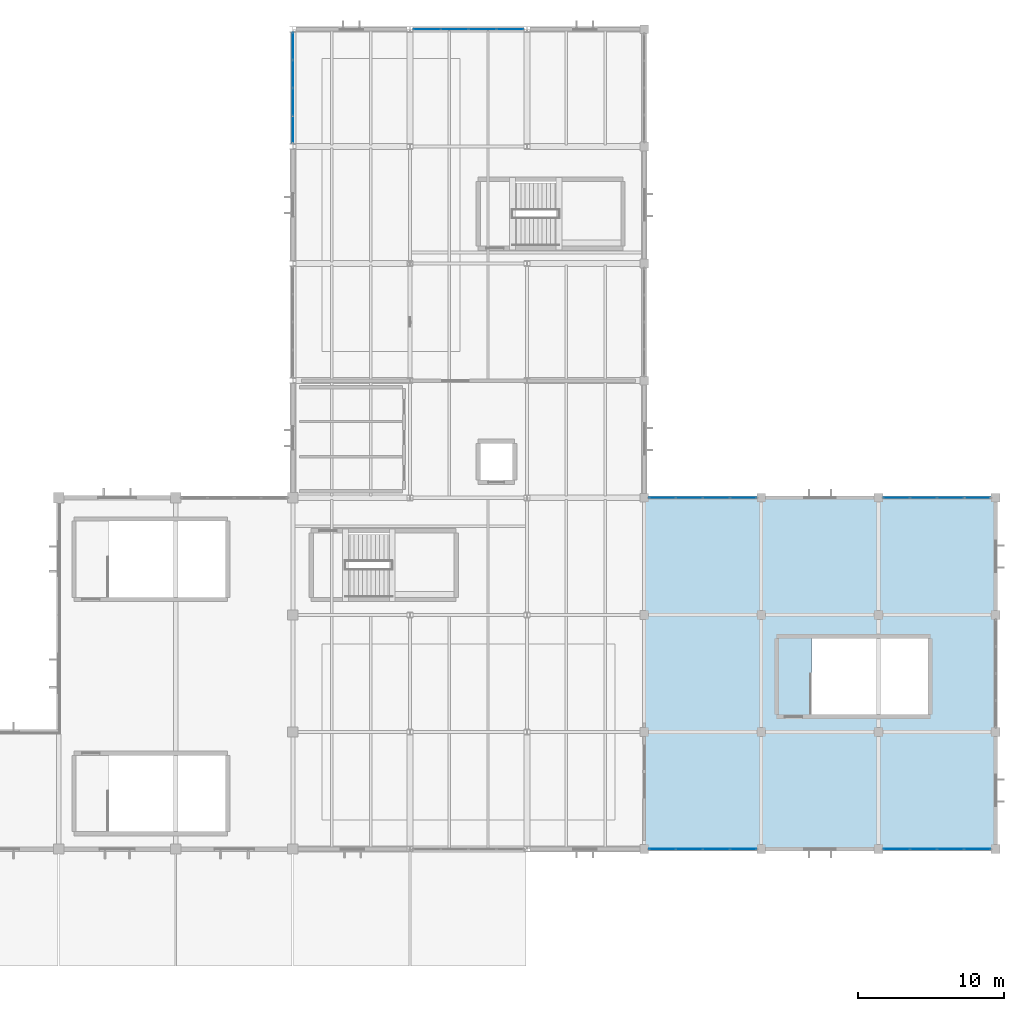
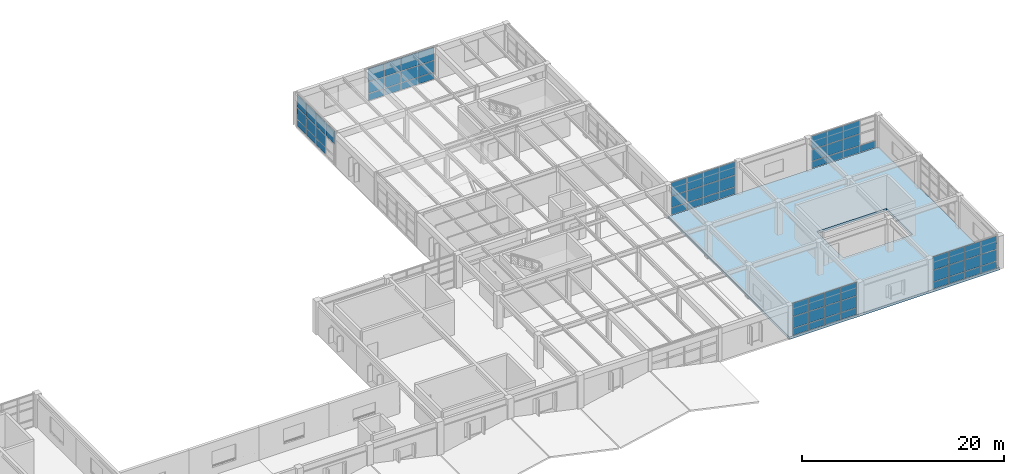
# One storey, part 33 of 48: 68 plates, 1 slab, 6 elements without a shape of their own.
"""IFC4 building model written with IfcOpenShell, lengths in metres."""

from ifc_helpers import new_model, si_unit, direction, frame, origin, origin_2d, place, context, subcontext, project, spatial, polyline, rectangle, outline, extrude, material, layer, layer_set, type_object, element, aggregate, save


model = new_model("IFC4")

# Units and contexts
model_context = context("Model", 3, precision=1e-05, world=origin(), true_north=direction((0.0, 1.0)))
body_context = subcontext(model_context, "Body", "Model", "MODEL_VIEW")
ifc_project = project(units=[si_unit("LENGTHUNIT", "METRE"), si_unit("AREAUNIT", "SQUARE_METRE"), si_unit("VOLUMEUNIT", "CUBIC_METRE"), si_unit("PLANEANGLEUNIT", "RADIAN"), si_unit("MASSUNIT", "GRAM", prefix="KILO")], contexts=[model_context])

# Site, building, storey
site_placement = place(None, origin())
site = spatial("IfcSite", under=ifc_project, at=site_placement, CompositionType="ELEMENT")
building_placement = place(site_placement, origin())
building = spatial("IfcBuilding", under=site, at=building_placement, Name="Varnela Railside Interchange", CompositionType="ELEMENT")
storey_placement = place(building_placement, frame((0.0, 0.0, 11.199951171875)))
storey = spatial("IfcBuildingStorey", under=building, at=storey_placement, Name="L02", CompositionType="ELEMENT", Elevation=11.199951171875)

# Slab
ifc_material_1 = material(Name="Concrete C40", Category="concrete")
ifc_layer_1 = layer(ifc_material_1, 0.300048828125)
ifc_layer_set_1 = layer_set([ifc_layer_1], Name="Concrete C40")
slab_type = type_object("IfcSlabType", Name="Auditorium & Concourse Slab SL-L02", PredefinedType="FLOOR", material=ifc_layer_set_1)
slab_placement = place(storey_placement, frame((0.0, 0.0, -0.300048828125)))
element("IfcSlab", 1, at=slab_placement, inside=storey, type_object=slab_type, Name="Auditorium & Concourse Slab SL-L02 (L02) (SL-0131)", PredefinedType="FLOOR", context=body_context, shape_type="SweptSolid", body=[
    extrude(outline(polyline([(140.0, 38.0), (164.0, 38.0), (164.0, 62.0), (140.0, 62.0), (140.0, 38.0)]), holes=[polyline([(151.429931640625, 47.199951171875), (159.39990234375, 47.199951171875), (159.39990234375, 52.39990234375), (151.429931640625, 52.39990234375), (151.429931640625, 47.199951171875)])]), origin(), (0.0, 0.0, 1.0), 0.300048828125),
])

# Curtain wall, plates
ifc_material_2 = material(Name="Aluminium 6063-T6", Category="aluminium")
ifc_layer_2 = layer(ifc_material_2, 0.035888671875)
ifc_layer_set_2 = layer_set([ifc_layer_2], Name="Aluminium 6063-T6")
curtain_wall_type = type_object("IfcCurtainWallType", Name="Study Pavilion Gallery Curtain Wall CW-02", PredefinedType="USERDEFINED", material=ifc_layer_set_2)
curtain_wall_1_placement = place(storey_placement, origin())
curtain_wall_1 = element("IfcCurtainWall", 2, at=curtain_wall_1_placement, inside=storey, type_object=curtain_wall_type, Name="Curtain Wall CW-02 (L02) (CW-056)", ObjectType="CURTAIN WALL", PredefinedType="USERDEFINED")
ifc_material_3 = material(Name="Glass laminated double", Category="glass")
ifc_layer_3 = layer(ifc_material_3, 0.02001953125)
ifc_layer_set_3 = layer_set([ifc_layer_3], Name="Glass laminated double")
plate_type = type_object("IfcPlateType", Name="Low-E Vision Glazing Panel GL-01", PredefinedType="CURTAIN_PANEL", material=ifc_layer_set_3)
plate_1_placement = place(storey_placement, frame((116.0, 87.155517578125, 2.35009765625), z_axis=(0.0, 0.0, 1.0), x_axis=(0.0, 1.0, 0.0)))
plate_1 = element("IfcPlate", 3, at=plate_1_placement, type_object=plate_type, Name="CW-02 panel 1.3", PredefinedType="CURTAIN_PANEL", context=body_context, shape_type="SweptSolid", body=[
    extrude(rectangle(XDim=1.816162109375, YDim=0.02001953125, at=origin_2d()), origin(), (0.0, 0.0, 1.0), 1.590087890625),
])
plate_2_placement = place(storey_placement, frame((116.0, 89.046875, 0.06005859375), z_axis=(0.0, 0.0, 1.0), x_axis=(0.0, 1.0, 0.0)))
plate_2 = element("IfcPlate", 4, at=plate_2_placement, type_object=plate_type, Name="CW-02 panel 2.1", PredefinedType="CURTAIN_PANEL", context=body_context, shape_type="SweptSolid", body=[
    extrude(rectangle(XDim=1.84619140625, YDim=0.02001953125, at=origin_2d()), origin(), (0.0, 0.0, 1.0), 0.81005859375),
])
plate_3_placement = place(storey_placement, frame((116.0, 89.046875, 0.93017578125), z_axis=(0.0, 0.0, 1.0), x_axis=(0.0, 1.0, 0.0)))
plate_3 = element("IfcPlate", 5, at=plate_3_placement, type_object=plate_type, Name="CW-02 panel 2.2", PredefinedType="CURTAIN_PANEL", context=body_context, shape_type="SweptSolid", body=[
    extrude(rectangle(XDim=1.84619140625, YDim=0.02001953125, at=origin_2d()), origin(), (0.0, 0.0, 1.0), 1.360107421875),
])
plate_4_placement = place(storey_placement, frame((116.0, 89.046875, 2.35009765625), z_axis=(0.0, 0.0, 1.0), x_axis=(0.0, 1.0, 0.0)))
plate_4 = element("IfcPlate", 6, at=plate_4_placement, type_object=plate_type, Name="CW-02 panel 2.3", PredefinedType="CURTAIN_PANEL", context=body_context, shape_type="SweptSolid", body=[
    extrude(rectangle(XDim=1.84619140625, YDim=0.02001953125, at=origin_2d()), origin(), (0.0, 0.0, 1.0), 1.590087890625),
])
plate_5_placement = place(storey_placement, frame((116.0, 90.953125, 0.06005859375), z_axis=(0.0, 0.0, 1.0), x_axis=(0.0, 1.0, 0.0)))
plate_5 = element("IfcPlate", 7, at=plate_5_placement, type_object=plate_type, Name="CW-02 panel 3.1", PredefinedType="CURTAIN_PANEL", context=body_context, shape_type="SweptSolid", body=[
    extrude(rectangle(XDim=1.84619140625, YDim=0.02001953125, at=origin_2d()), origin(), (0.0, 0.0, 1.0), 0.81005859375),
])
plate_6_placement = place(storey_placement, frame((116.0, 90.953125, 0.93017578125), z_axis=(0.0, 0.0, 1.0), x_axis=(0.0, 1.0, 0.0)))
plate_6 = element("IfcPlate", 8, at=plate_6_placement, type_object=plate_type, Name="CW-02 panel 3.2", PredefinedType="CURTAIN_PANEL", context=body_context, shape_type="SweptSolid", body=[
    extrude(rectangle(XDim=1.84619140625, YDim=0.02001953125, at=origin_2d()), origin(), (0.0, 0.0, 1.0), 1.360107421875),
])
plate_7_placement = place(storey_placement, frame((116.0, 90.953125, 2.35009765625), z_axis=(0.0, 0.0, 1.0), x_axis=(0.0, 1.0, 0.0)))
plate_7 = element("IfcPlate", 9, at=plate_7_placement, type_object=plate_type, Name="CW-02 panel 3.3", PredefinedType="CURTAIN_PANEL", context=body_context, shape_type="SweptSolid", body=[
    extrude(rectangle(XDim=1.84619140625, YDim=0.02001953125, at=origin_2d()), origin(), (0.0, 0.0, 1.0), 1.590087890625),
])
plate_8_placement = place(storey_placement, frame((116.0, 92.844482421875, 0.06005859375), z_axis=(0.0, 0.0, 1.0), x_axis=(0.0, 1.0, 0.0)))
plate_8 = element("IfcPlate", 10, at=plate_8_placement, type_object=plate_type, Name="CW-02 panel 4.1", PredefinedType="CURTAIN_PANEL", context=body_context, shape_type="SweptSolid", body=[
    extrude(rectangle(XDim=1.816162109375, YDim=0.02001953125, at=origin_2d()), origin(), (0.0, 0.0, 1.0), 0.81005859375),
])
plate_9_placement = place(storey_placement, frame((116.0, 92.844482421875, 0.93017578125), z_axis=(0.0, 0.0, 1.0), x_axis=(0.0, 1.0, 0.0)))
plate_9 = element("IfcPlate", 11, at=plate_9_placement, type_object=plate_type, Name="CW-02 panel 4.2", PredefinedType="CURTAIN_PANEL", context=body_context, shape_type="SweptSolid", body=[
    extrude(rectangle(XDim=1.816162109375, YDim=0.02001953125, at=origin_2d()), origin(), (0.0, 0.0, 1.0), 1.360107421875),
])
plate_10_placement = place(storey_placement, frame((116.0, 92.844482421875, 2.35009765625), z_axis=(0.0, 0.0, 1.0), x_axis=(0.0, 1.0, 0.0)))
plate_10 = element("IfcPlate", 12, at=plate_10_placement, type_object=plate_type, Name="CW-02 panel 4.3", PredefinedType="CURTAIN_PANEL", context=body_context, shape_type="SweptSolid", body=[
    extrude(rectangle(XDim=1.816162109375, YDim=0.02001953125, at=origin_2d()), origin(), (0.0, 0.0, 1.0), 1.590087890625),
])
aggregate(curtain_wall_1, [plate_1, plate_2, plate_3, plate_4, plate_5, plate_6, plate_7, plate_8, plate_9, plate_10])

curtain_wall_2_placement = place(storey_placement, origin())
curtain_wall_2 = element("IfcCurtainWall", 13, at=curtain_wall_2_placement, inside=storey, type_object=curtain_wall_type, Name="Curtain Wall CW-02 (L02) (CW-057)", ObjectType="CURTAIN WALL", PredefinedType="USERDEFINED")
plate_11_placement = place(storey_placement, frame((125.162841796875, 94.0, 0.06005859375), z_axis=(0.0, 0.0, 1.0), x_axis=(1.0, 0.0, 0.0)))
plate_11 = element("IfcPlate", 14, at=plate_11_placement, type_object=plate_type, Name="CW-02 panel 1.1", PredefinedType="CURTAIN_PANEL", context=body_context, shape_type="SweptSolid", body=[
    extrude(rectangle(XDim=1.8115234375, YDim=0.02001953125, at=origin_2d()), origin(), (0.0, 0.0, 1.0), 0.81005859375),
])
plate_12_placement = place(storey_placement, frame((125.162841796875, 94.0, 0.93017578125), z_axis=(0.0, 0.0, 1.0), x_axis=(1.0, 0.0, 0.0)))
plate_12 = element("IfcPlate", 15, at=plate_12_placement, type_object=plate_type, Name="CW-02 panel 1.2", PredefinedType="CURTAIN_PANEL", context=body_context, shape_type="SweptSolid", body=[
    extrude(rectangle(XDim=1.8115234375, YDim=0.02001953125, at=origin_2d()), origin(), (0.0, 0.0, 1.0), 1.360107421875),
])
plate_13_placement = place(storey_placement, frame((125.162841796875, 94.0, 2.35009765625), z_axis=(0.0, 0.0, 1.0), x_axis=(1.0, 0.0, 0.0)))
plate_13 = element("IfcPlate", 16, at=plate_13_placement, type_object=plate_type, Name="CW-02 panel 1.3", PredefinedType="CURTAIN_PANEL", context=body_context, shape_type="SweptSolid", body=[
    extrude(rectangle(XDim=1.8115234375, YDim=0.02001953125, at=origin_2d()), origin(), (0.0, 0.0, 1.0), 1.590087890625),
])
plate_14_placement = place(storey_placement, frame((127.04931640625, 94.0, 0.06005859375), z_axis=(0.0, 0.0, 1.0), x_axis=(1.0, 0.0, 0.0)))
plate_14 = element("IfcPlate", 17, at=plate_14_placement, type_object=plate_type, Name="CW-02 panel 2.1", PredefinedType="CURTAIN_PANEL", context=body_context, shape_type="SweptSolid", body=[
    extrude(rectangle(XDim=1.841552734375, YDim=0.02001953125, at=origin_2d()), origin(), (0.0, 0.0, 1.0), 0.81005859375),
])
plate_15_placement = place(storey_placement, frame((127.04931640625, 94.0, 0.93017578125), z_axis=(0.0, 0.0, 1.0), x_axis=(1.0, 0.0, 0.0)))
plate_15 = element("IfcPlate", 18, at=plate_15_placement, type_object=plate_type, Name="CW-02 panel 2.2", PredefinedType="CURTAIN_PANEL", context=body_context, shape_type="SweptSolid", body=[
    extrude(rectangle(XDim=1.841552734375, YDim=0.02001953125, at=origin_2d()), origin(), (0.0, 0.0, 1.0), 1.360107421875),
])
plate_16_placement = place(storey_placement, frame((127.04931640625, 94.0, 2.35009765625), z_axis=(0.0, 0.0, 1.0), x_axis=(1.0, 0.0, 0.0)))
plate_16 = element("IfcPlate", 19, at=plate_16_placement, type_object=plate_type, Name="CW-02 panel 2.3", PredefinedType="CURTAIN_PANEL", context=body_context, shape_type="SweptSolid", body=[
    extrude(rectangle(XDim=1.841552734375, YDim=0.02001953125, at=origin_2d()), origin(), (0.0, 0.0, 1.0), 1.590087890625),
])
plate_17_placement = place(storey_placement, frame((128.95068359375, 94.0, 0.06005859375), z_axis=(0.0, 0.0, 1.0), x_axis=(1.0, 0.0, 0.0)))
plate_17 = element("IfcPlate", 20, at=plate_17_placement, type_object=plate_type, Name="CW-02 panel 3.1", PredefinedType="CURTAIN_PANEL", context=body_context, shape_type="SweptSolid", body=[
    extrude(rectangle(XDim=1.841552734375, YDim=0.02001953125, at=origin_2d()), origin(), (0.0, 0.0, 1.0), 0.81005859375),
])
plate_18_placement = place(storey_placement, frame((128.95068359375, 94.0, 0.93017578125), z_axis=(0.0, 0.0, 1.0), x_axis=(1.0, 0.0, 0.0)))
plate_18 = element("IfcPlate", 21, at=plate_18_placement, type_object=plate_type, Name="CW-02 panel 3.2", PredefinedType="CURTAIN_PANEL", context=body_context, shape_type="SweptSolid", body=[
    extrude(rectangle(XDim=1.841552734375, YDim=0.02001953125, at=origin_2d()), origin(), (0.0, 0.0, 1.0), 1.360107421875),
])
plate_19_placement = place(storey_placement, frame((128.95068359375, 94.0, 2.35009765625), z_axis=(0.0, 0.0, 1.0), x_axis=(1.0, 0.0, 0.0)))
plate_19 = element("IfcPlate", 22, at=plate_19_placement, type_object=plate_type, Name="CW-02 panel 3.3", PredefinedType="CURTAIN_PANEL", context=body_context, shape_type="SweptSolid", body=[
    extrude(rectangle(XDim=1.841552734375, YDim=0.02001953125, at=origin_2d()), origin(), (0.0, 0.0, 1.0), 1.590087890625),
])
plate_20_placement = place(storey_placement, frame((130.837158203125, 94.0, 0.06005859375), z_axis=(0.0, 0.0, 1.0), x_axis=(1.0, 0.0, 0.0)))
plate_20 = element("IfcPlate", 23, at=plate_20_placement, type_object=plate_type, Name="CW-02 panel 4.1", PredefinedType="CURTAIN_PANEL", context=body_context, shape_type="SweptSolid", body=[
    extrude(rectangle(XDim=1.8115234375, YDim=0.02001953125, at=origin_2d()), origin(), (0.0, 0.0, 1.0), 0.81005859375),
])
plate_21_placement = place(storey_placement, frame((130.837158203125, 94.0, 0.93017578125), z_axis=(0.0, 0.0, 1.0), x_axis=(1.0, 0.0, 0.0)))
plate_21 = element("IfcPlate", 24, at=plate_21_placement, type_object=plate_type, Name="CW-02 panel 4.2", PredefinedType="CURTAIN_PANEL", context=body_context, shape_type="SweptSolid", body=[
    extrude(rectangle(XDim=1.8115234375, YDim=0.02001953125, at=origin_2d()), origin(), (0.0, 0.0, 1.0), 1.360107421875),
])
plate_22_placement = place(storey_placement, frame((130.837158203125, 94.0, 2.35009765625), z_axis=(0.0, 0.0, 1.0), x_axis=(1.0, 0.0, 0.0)))
plate_22 = element("IfcPlate", 25, at=plate_22_placement, type_object=plate_type, Name="CW-02 panel 4.3", PredefinedType="CURTAIN_PANEL", context=body_context, shape_type="SweptSolid", body=[
    extrude(rectangle(XDim=1.8115234375, YDim=0.02001953125, at=origin_2d()), origin(), (0.0, 0.0, 1.0), 1.590087890625),
])
aggregate(curtain_wall_2, [plate_11, plate_12, plate_13, plate_14, plate_15, plate_16, plate_17, plate_18, plate_19, plate_20, plate_21, plate_22])

curtain_wall_3_placement = place(storey_placement, origin())
curtain_wall_3 = element("IfcCurtainWall", 26, at=curtain_wall_3_placement, inside=storey, type_object=curtain_wall_type, Name="Curtain Wall CW-02 (L02) (CW-060)", ObjectType="CURTAIN WALL", PredefinedType="USERDEFINED")
plate_23_placement = place(storey_placement, frame((141.239990234375, 62.0, 0.06005859375), z_axis=(0.0, 0.0, 1.0), x_axis=(1.0, 0.0, 0.0)))
plate_23 = element("IfcPlate", 27, at=plate_23_placement, type_object=plate_type, Name="CW-02 panel 1.1", PredefinedType="CURTAIN_PANEL", context=body_context, shape_type="SweptSolid", body=[
    extrude(rectangle(XDim=1.760009765625, YDim=0.02001953125, at=origin_2d()), origin(), (0.0, 0.0, 1.0), 0.81005859375),
])
plate_24_placement = place(storey_placement, frame((141.239990234375, 62.0, 0.93017578125), z_axis=(0.0, 0.0, 1.0), x_axis=(1.0, 0.0, 0.0)))
plate_24 = element("IfcPlate", 28, at=plate_24_placement, type_object=plate_type, Name="CW-02 panel 1.2", PredefinedType="CURTAIN_PANEL", context=body_context, shape_type="SweptSolid", body=[
    extrude(rectangle(XDim=1.760009765625, YDim=0.02001953125, at=origin_2d()), origin(), (0.0, 0.0, 1.0), 1.360107421875),
])
plate_25_placement = place(storey_placement, frame((141.239990234375, 62.0, 2.35009765625), z_axis=(0.0, 0.0, 1.0), x_axis=(1.0, 0.0, 0.0)))
plate_25 = element("IfcPlate", 29, at=plate_25_placement, type_object=plate_type, Name="CW-02 panel 1.3", PredefinedType="CURTAIN_PANEL", context=body_context, shape_type="SweptSolid", body=[
    extrude(rectangle(XDim=1.760009765625, YDim=0.02001953125, at=origin_2d()), origin(), (0.0, 0.0, 1.0), 1.590087890625),
])
plate_26_placement = place(storey_placement, frame((143.074951171875, 62.0, 0.06005859375), z_axis=(0.0, 0.0, 1.0), x_axis=(1.0, 0.0, 0.0)))
plate_26 = element("IfcPlate", 30, at=plate_26_placement, type_object=plate_type, Name="CW-02 panel 2.1", PredefinedType="CURTAIN_PANEL", context=body_context, shape_type="SweptSolid", body=[
    extrude(rectangle(XDim=1.7900390625, YDim=0.02001953125, at=origin_2d()), origin(), (0.0, 0.0, 1.0), 0.81005859375),
])
plate_27_placement = place(storey_placement, frame((143.074951171875, 62.0, 0.93017578125), z_axis=(0.0, 0.0, 1.0), x_axis=(1.0, 0.0, 0.0)))
plate_27 = element("IfcPlate", 31, at=plate_27_placement, type_object=plate_type, Name="CW-02 panel 2.2", PredefinedType="CURTAIN_PANEL", context=body_context, shape_type="SweptSolid", body=[
    extrude(rectangle(XDim=1.7900390625, YDim=0.02001953125, at=origin_2d()), origin(), (0.0, 0.0, 1.0), 1.360107421875),
])
plate_28_placement = place(storey_placement, frame((143.074951171875, 62.0, 2.35009765625), z_axis=(0.0, 0.0, 1.0), x_axis=(1.0, 0.0, 0.0)))
plate_28 = element("IfcPlate", 32, at=plate_28_placement, type_object=plate_type, Name="CW-02 panel 2.3", PredefinedType="CURTAIN_PANEL", context=body_context, shape_type="SweptSolid", body=[
    extrude(rectangle(XDim=1.7900390625, YDim=0.02001953125, at=origin_2d()), origin(), (0.0, 0.0, 1.0), 1.590087890625),
])
plate_29_placement = place(storey_placement, frame((144.925048828125, 62.0, 0.06005859375), z_axis=(0.0, 0.0, 1.0), x_axis=(1.0, 0.0, 0.0)))
plate_29 = element("IfcPlate", 33, at=plate_29_placement, type_object=plate_type, Name="CW-02 panel 3.1", PredefinedType="CURTAIN_PANEL", context=body_context, shape_type="SweptSolid", body=[
    extrude(rectangle(XDim=1.7900390625, YDim=0.02001953125, at=origin_2d()), origin(), (0.0, 0.0, 1.0), 0.81005859375),
])
plate_30_placement = place(storey_placement, frame((144.925048828125, 62.0, 0.93017578125), z_axis=(0.0, 0.0, 1.0), x_axis=(1.0, 0.0, 0.0)))
plate_30 = element("IfcPlate", 34, at=plate_30_placement, type_object=plate_type, Name="CW-02 panel 3.2", PredefinedType="CURTAIN_PANEL", context=body_context, shape_type="SweptSolid", body=[
    extrude(rectangle(XDim=1.7900390625, YDim=0.02001953125, at=origin_2d()), origin(), (0.0, 0.0, 1.0), 1.360107421875),
])
plate_31_placement = place(storey_placement, frame((144.925048828125, 62.0, 2.35009765625), z_axis=(0.0, 0.0, 1.0), x_axis=(1.0, 0.0, 0.0)))
plate_31 = element("IfcPlate", 35, at=plate_31_placement, type_object=plate_type, Name="CW-02 panel 3.3", PredefinedType="CURTAIN_PANEL", context=body_context, shape_type="SweptSolid", body=[
    extrude(rectangle(XDim=1.7900390625, YDim=0.02001953125, at=origin_2d()), origin(), (0.0, 0.0, 1.0), 1.590087890625),
])
plate_32_placement = place(storey_placement, frame((146.760009765625, 62.0, 0.06005859375), z_axis=(0.0, 0.0, 1.0), x_axis=(1.0, 0.0, 0.0)))
plate_32 = element("IfcPlate", 36, at=plate_32_placement, type_object=plate_type, Name="CW-02 panel 4.1", PredefinedType="CURTAIN_PANEL", context=body_context, shape_type="SweptSolid", body=[
    extrude(rectangle(XDim=1.760009765625, YDim=0.02001953125, at=origin_2d()), origin(), (0.0, 0.0, 1.0), 0.81005859375),
])
plate_33_placement = place(storey_placement, frame((146.760009765625, 62.0, 0.93017578125), z_axis=(0.0, 0.0, 1.0), x_axis=(1.0, 0.0, 0.0)))
plate_33 = element("IfcPlate", 37, at=plate_33_placement, type_object=plate_type, Name="CW-02 panel 4.2", PredefinedType="CURTAIN_PANEL", context=body_context, shape_type="SweptSolid", body=[
    extrude(rectangle(XDim=1.760009765625, YDim=0.02001953125, at=origin_2d()), origin(), (0.0, 0.0, 1.0), 1.360107421875),
])
plate_34_placement = place(storey_placement, frame((146.760009765625, 62.0, 2.35009765625), z_axis=(0.0, 0.0, 1.0), x_axis=(1.0, 0.0, 0.0)))
plate_34 = element("IfcPlate", 38, at=plate_34_placement, type_object=plate_type, Name="CW-02 panel 4.3", PredefinedType="CURTAIN_PANEL", context=body_context, shape_type="SweptSolid", body=[
    extrude(rectangle(XDim=1.760009765625, YDim=0.02001953125, at=origin_2d()), origin(), (0.0, 0.0, 1.0), 1.590087890625),
])
aggregate(curtain_wall_3, [plate_23, plate_24, plate_25, plate_26, plate_27, plate_28, plate_29, plate_30, plate_31, plate_32, plate_33, plate_34])

curtain_wall_4_placement = place(storey_placement, origin())
curtain_wall_4 = element("IfcCurtainWall", 39, at=curtain_wall_4_placement, inside=storey, type_object=curtain_wall_type, Name="Curtain Wall CW-02 (L02) (CW-062)", ObjectType="CURTAIN WALL", PredefinedType="USERDEFINED")
plate_35_placement = place(storey_placement, frame((157.239990234375, 62.0, 0.06005859375), z_axis=(0.0, 0.0, 1.0), x_axis=(1.0, 0.0, 0.0)))
plate_35 = element("IfcPlate", 40, at=plate_35_placement, type_object=plate_type, Name="CW-02 panel 1.1", PredefinedType="CURTAIN_PANEL", context=body_context, shape_type="SweptSolid", body=[
    extrude(rectangle(XDim=1.760009765625, YDim=0.02001953125, at=origin_2d()), origin(), (0.0, 0.0, 1.0), 0.81005859375),
])
plate_36_placement = place(storey_placement, frame((157.239990234375, 62.0, 0.93017578125), z_axis=(0.0, 0.0, 1.0), x_axis=(1.0, 0.0, 0.0)))
plate_36 = element("IfcPlate", 41, at=plate_36_placement, type_object=plate_type, Name="CW-02 panel 1.2", PredefinedType="CURTAIN_PANEL", context=body_context, shape_type="SweptSolid", body=[
    extrude(rectangle(XDim=1.760009765625, YDim=0.02001953125, at=origin_2d()), origin(), (0.0, 0.0, 1.0), 1.360107421875),
])
plate_37_placement = place(storey_placement, frame((157.239990234375, 62.0, 2.35009765625), z_axis=(0.0, 0.0, 1.0), x_axis=(1.0, 0.0, 0.0)))
plate_37 = element("IfcPlate", 42, at=plate_37_placement, type_object=plate_type, Name="CW-02 panel 1.3", PredefinedType="CURTAIN_PANEL", context=body_context, shape_type="SweptSolid", body=[
    extrude(rectangle(XDim=1.760009765625, YDim=0.02001953125, at=origin_2d()), origin(), (0.0, 0.0, 1.0), 1.590087890625),
])
plate_38_placement = place(storey_placement, frame((159.074951171875, 62.0, 0.06005859375), z_axis=(0.0, 0.0, 1.0), x_axis=(1.0, 0.0, 0.0)))
plate_38 = element("IfcPlate", 43, at=plate_38_placement, type_object=plate_type, Name="CW-02 panel 2.1", PredefinedType="CURTAIN_PANEL", context=body_context, shape_type="SweptSolid", body=[
    extrude(rectangle(XDim=1.7900390625, YDim=0.02001953125, at=origin_2d()), origin(), (0.0, 0.0, 1.0), 0.81005859375),
])
plate_39_placement = place(storey_placement, frame((159.074951171875, 62.0, 0.93017578125), z_axis=(0.0, 0.0, 1.0), x_axis=(1.0, 0.0, 0.0)))
plate_39 = element("IfcPlate", 44, at=plate_39_placement, type_object=plate_type, Name="CW-02 panel 2.2", PredefinedType="CURTAIN_PANEL", context=body_context, shape_type="SweptSolid", body=[
    extrude(rectangle(XDim=1.7900390625, YDim=0.02001953125, at=origin_2d()), origin(), (0.0, 0.0, 1.0), 1.360107421875),
])
plate_40_placement = place(storey_placement, frame((159.074951171875, 62.0, 2.35009765625), z_axis=(0.0, 0.0, 1.0), x_axis=(1.0, 0.0, 0.0)))
plate_40 = element("IfcPlate", 45, at=plate_40_placement, type_object=plate_type, Name="CW-02 panel 2.3", PredefinedType="CURTAIN_PANEL", context=body_context, shape_type="SweptSolid", body=[
    extrude(rectangle(XDim=1.7900390625, YDim=0.02001953125, at=origin_2d()), origin(), (0.0, 0.0, 1.0), 1.590087890625),
])
plate_41_placement = place(storey_placement, frame((160.925048828125, 62.0, 0.06005859375), z_axis=(0.0, 0.0, 1.0), x_axis=(1.0, 0.0, 0.0)))
plate_41 = element("IfcPlate", 46, at=plate_41_placement, type_object=plate_type, Name="CW-02 panel 3.1", PredefinedType="CURTAIN_PANEL", context=body_context, shape_type="SweptSolid", body=[
    extrude(rectangle(XDim=1.7900390625, YDim=0.02001953125, at=origin_2d()), origin(), (0.0, 0.0, 1.0), 0.81005859375),
])
plate_42_placement = place(storey_placement, frame((160.925048828125, 62.0, 0.93017578125), z_axis=(0.0, 0.0, 1.0), x_axis=(1.0, 0.0, 0.0)))
plate_42 = element("IfcPlate", 47, at=plate_42_placement, type_object=plate_type, Name="CW-02 panel 3.2", PredefinedType="CURTAIN_PANEL", context=body_context, shape_type="SweptSolid", body=[
    extrude(rectangle(XDim=1.7900390625, YDim=0.02001953125, at=origin_2d()), origin(), (0.0, 0.0, 1.0), 1.360107421875),
])
plate_43_placement = place(storey_placement, frame((160.925048828125, 62.0, 2.35009765625), z_axis=(0.0, 0.0, 1.0), x_axis=(1.0, 0.0, 0.0)))
plate_43 = element("IfcPlate", 48, at=plate_43_placement, type_object=plate_type, Name="CW-02 panel 3.3", PredefinedType="CURTAIN_PANEL", context=body_context, shape_type="SweptSolid", body=[
    extrude(rectangle(XDim=1.7900390625, YDim=0.02001953125, at=origin_2d()), origin(), (0.0, 0.0, 1.0), 1.590087890625),
])
plate_44_placement = place(storey_placement, frame((162.760009765625, 62.0, 0.06005859375), z_axis=(0.0, 0.0, 1.0), x_axis=(1.0, 0.0, 0.0)))
plate_44 = element("IfcPlate", 49, at=plate_44_placement, type_object=plate_type, Name="CW-02 panel 4.1", PredefinedType="CURTAIN_PANEL", context=body_context, shape_type="SweptSolid", body=[
    extrude(rectangle(XDim=1.760009765625, YDim=0.02001953125, at=origin_2d()), origin(), (0.0, 0.0, 1.0), 0.81005859375),
])
aggregate(curtain_wall_4, [plate_35, plate_36, plate_37, plate_38, plate_39, plate_40, plate_41, plate_42, plate_43, plate_44])

curtain_wall_5_placement = place(storey_placement, origin())
curtain_wall_5 = element("IfcCurtainWall", 50, at=curtain_wall_5_placement, inside=storey, type_object=curtain_wall_type, Name="Curtain Wall CW-02 (L02) (CW-064)", ObjectType="CURTAIN WALL", PredefinedType="USERDEFINED")
plate_45_placement = place(storey_placement, frame((162.760009765625, 38.0, 0.06005859375), z_axis=(0.0, 0.0, 1.0), x_axis=(-1.0, 0.0, 0.0)))
plate_45 = element("IfcPlate", 51, at=plate_45_placement, type_object=plate_type, Name="CW-02 panel 1.1", PredefinedType="CURTAIN_PANEL", context=body_context, shape_type="SweptSolid", body=[
    extrude(rectangle(XDim=1.760009765625, YDim=0.02001953125, at=origin_2d()), origin(), (0.0, 0.0, 1.0), 0.81005859375),
])
plate_46_placement = place(storey_placement, frame((162.760009765625, 38.0, 0.93017578125), z_axis=(0.0, 0.0, 1.0), x_axis=(-1.0, 0.0, 0.0)))
plate_46 = element("IfcPlate", 52, at=plate_46_placement, type_object=plate_type, Name="CW-02 panel 1.2", PredefinedType="CURTAIN_PANEL", context=body_context, shape_type="SweptSolid", body=[
    extrude(rectangle(XDim=1.760009765625, YDim=0.02001953125, at=origin_2d()), origin(), (0.0, 0.0, 1.0), 1.360107421875),
])
plate_47_placement = place(storey_placement, frame((162.760009765625, 38.0, 2.35009765625), z_axis=(0.0, 0.0, 1.0), x_axis=(-1.0, 0.0, 0.0)))
plate_47 = element("IfcPlate", 53, at=plate_47_placement, type_object=plate_type, Name="CW-02 panel 1.3", PredefinedType="CURTAIN_PANEL", context=body_context, shape_type="SweptSolid", body=[
    extrude(rectangle(XDim=1.760009765625, YDim=0.02001953125, at=origin_2d()), origin(), (0.0, 0.0, 1.0), 1.590087890625),
])
plate_48_placement = place(storey_placement, frame((160.925048828125, 38.0, 0.06005859375), z_axis=(0.0, 0.0, 1.0), x_axis=(-1.0, 0.0, 0.0)))
plate_48 = element("IfcPlate", 54, at=plate_48_placement, type_object=plate_type, Name="CW-02 panel 2.1", PredefinedType="CURTAIN_PANEL", context=body_context, shape_type="SweptSolid", body=[
    extrude(rectangle(XDim=1.7900390625, YDim=0.02001953125, at=origin_2d()), origin(), (0.0, 0.0, 1.0), 0.81005859375),
])
plate_49_placement = place(storey_placement, frame((160.925048828125, 38.0, 0.93017578125), z_axis=(0.0, 0.0, 1.0), x_axis=(-1.0, 0.0, 0.0)))
plate_49 = element("IfcPlate", 55, at=plate_49_placement, type_object=plate_type, Name="CW-02 panel 2.2", PredefinedType="CURTAIN_PANEL", context=body_context, shape_type="SweptSolid", body=[
    extrude(rectangle(XDim=1.7900390625, YDim=0.02001953125, at=origin_2d()), origin(), (0.0, 0.0, 1.0), 1.360107421875),
])
plate_50_placement = place(storey_placement, frame((160.925048828125, 38.0, 2.35009765625), z_axis=(0.0, 0.0, 1.0), x_axis=(-1.0, 0.0, 0.0)))
plate_50 = element("IfcPlate", 56, at=plate_50_placement, type_object=plate_type, Name="CW-02 panel 2.3", PredefinedType="CURTAIN_PANEL", context=body_context, shape_type="SweptSolid", body=[
    extrude(rectangle(XDim=1.7900390625, YDim=0.02001953125, at=origin_2d()), origin(), (0.0, 0.0, 1.0), 1.590087890625),
])
plate_51_placement = place(storey_placement, frame((159.074951171875, 38.0, 0.06005859375), z_axis=(0.0, 0.0, 1.0), x_axis=(-1.0, 0.0, 0.0)))
plate_51 = element("IfcPlate", 57, at=plate_51_placement, type_object=plate_type, Name="CW-02 panel 3.1", PredefinedType="CURTAIN_PANEL", context=body_context, shape_type="SweptSolid", body=[
    extrude(rectangle(XDim=1.7900390625, YDim=0.02001953125, at=origin_2d()), origin(), (0.0, 0.0, 1.0), 0.81005859375),
])
plate_52_placement = place(storey_placement, frame((159.074951171875, 38.0, 0.93017578125), z_axis=(0.0, 0.0, 1.0), x_axis=(-1.0, 0.0, 0.0)))
plate_52 = element("IfcPlate", 58, at=plate_52_placement, type_object=plate_type, Name="CW-02 panel 3.2", PredefinedType="CURTAIN_PANEL", context=body_context, shape_type="SweptSolid", body=[
    extrude(rectangle(XDim=1.7900390625, YDim=0.02001953125, at=origin_2d()), origin(), (0.0, 0.0, 1.0), 1.360107421875),
])
plate_53_placement = place(storey_placement, frame((159.074951171875, 38.0, 2.35009765625), z_axis=(0.0, 0.0, 1.0), x_axis=(-1.0, 0.0, 0.0)))
plate_53 = element("IfcPlate", 59, at=plate_53_placement, type_object=plate_type, Name="CW-02 panel 3.3", PredefinedType="CURTAIN_PANEL", context=body_context, shape_type="SweptSolid", body=[
    extrude(rectangle(XDim=1.7900390625, YDim=0.02001953125, at=origin_2d()), origin(), (0.0, 0.0, 1.0), 1.590087890625),
])
plate_54_placement = place(storey_placement, frame((157.239990234375, 38.0, 0.06005859375), z_axis=(0.0, 0.0, 1.0), x_axis=(-1.0, 0.0, 0.0)))
plate_54 = element("IfcPlate", 60, at=plate_54_placement, type_object=plate_type, Name="CW-02 panel 4.1", PredefinedType="CURTAIN_PANEL", context=body_context, shape_type="SweptSolid", body=[
    extrude(rectangle(XDim=1.760009765625, YDim=0.02001953125, at=origin_2d()), origin(), (0.0, 0.0, 1.0), 0.81005859375),
])
plate_55_placement = place(storey_placement, frame((157.239990234375, 38.0, 0.93017578125), z_axis=(0.0, 0.0, 1.0), x_axis=(-1.0, 0.0, 0.0)))
plate_55 = element("IfcPlate", 61, at=plate_55_placement, type_object=plate_type, Name="CW-02 panel 4.2", PredefinedType="CURTAIN_PANEL", context=body_context, shape_type="SweptSolid", body=[
    extrude(rectangle(XDim=1.760009765625, YDim=0.02001953125, at=origin_2d()), origin(), (0.0, 0.0, 1.0), 1.360107421875),
])
plate_56_placement = place(storey_placement, frame((157.239990234375, 38.0, 2.35009765625), z_axis=(0.0, 0.0, 1.0), x_axis=(-1.0, 0.0, 0.0)))
plate_56 = element("IfcPlate", 62, at=plate_56_placement, type_object=plate_type, Name="CW-02 panel 4.3", PredefinedType="CURTAIN_PANEL", context=body_context, shape_type="SweptSolid", body=[
    extrude(rectangle(XDim=1.760009765625, YDim=0.02001953125, at=origin_2d()), origin(), (0.0, 0.0, 1.0), 1.590087890625),
])
aggregate(curtain_wall_5, [plate_45, plate_46, plate_47, plate_48, plate_49, plate_50, plate_51, plate_52, plate_53, plate_54, plate_55, plate_56])

curtain_wall_6_placement = place(storey_placement, origin())
curtain_wall_6 = element("IfcCurtainWall", 63, at=curtain_wall_6_placement, inside=storey, type_object=curtain_wall_type, Name="Curtain Wall CW-02 (L02) (CW-065)", ObjectType="CURTAIN WALL", PredefinedType="USERDEFINED")
plate_57_placement = place(storey_placement, frame((146.760009765625, 38.0, 0.06005859375), z_axis=(0.0, 0.0, 1.0), x_axis=(-1.0, 0.0, 0.0)))
plate_57 = element("IfcPlate", 64, at=plate_57_placement, type_object=plate_type, Name="CW-02 panel 1.1", PredefinedType="CURTAIN_PANEL", context=body_context, shape_type="SweptSolid", body=[
    extrude(rectangle(XDim=1.760009765625, YDim=0.02001953125, at=origin_2d()), origin(), (0.0, 0.0, 1.0), 0.81005859375),
])
plate_58_placement = place(storey_placement, frame((146.760009765625, 38.0, 0.93017578125), z_axis=(0.0, 0.0, 1.0), x_axis=(-1.0, 0.0, 0.0)))
plate_58 = element("IfcPlate", 65, at=plate_58_placement, type_object=plate_type, Name="CW-02 panel 1.2", PredefinedType="CURTAIN_PANEL", context=body_context, shape_type="SweptSolid", body=[
    extrude(rectangle(XDim=1.760009765625, YDim=0.02001953125, at=origin_2d()), origin(), (0.0, 0.0, 1.0), 1.360107421875),
])
plate_59_placement = place(storey_placement, frame((146.760009765625, 38.0, 2.35009765625), z_axis=(0.0, 0.0, 1.0), x_axis=(-1.0, 0.0, 0.0)))
plate_59 = element("IfcPlate", 66, at=plate_59_placement, type_object=plate_type, Name="CW-02 panel 1.3", PredefinedType="CURTAIN_PANEL", context=body_context, shape_type="SweptSolid", body=[
    extrude(rectangle(XDim=1.760009765625, YDim=0.02001953125, at=origin_2d()), origin(), (0.0, 0.0, 1.0), 1.590087890625),
])
plate_60_placement = place(storey_placement, frame((144.925048828125, 38.0, 0.06005859375), z_axis=(0.0, 0.0, 1.0), x_axis=(-1.0, 0.0, 0.0)))
plate_60 = element("IfcPlate", 67, at=plate_60_placement, type_object=plate_type, Name="CW-02 panel 2.1", PredefinedType="CURTAIN_PANEL", context=body_context, shape_type="SweptSolid", body=[
    extrude(rectangle(XDim=1.7900390625, YDim=0.02001953125, at=origin_2d()), origin(), (0.0, 0.0, 1.0), 0.81005859375),
])
plate_61_placement = place(storey_placement, frame((144.925048828125, 38.0, 0.93017578125), z_axis=(0.0, 0.0, 1.0), x_axis=(-1.0, 0.0, 0.0)))
plate_61 = element("IfcPlate", 68, at=plate_61_placement, type_object=plate_type, Name="CW-02 panel 2.2", PredefinedType="CURTAIN_PANEL", context=body_context, shape_type="SweptSolid", body=[
    extrude(rectangle(XDim=1.7900390625, YDim=0.02001953125, at=origin_2d()), origin(), (0.0, 0.0, 1.0), 1.360107421875),
])
plate_62_placement = place(storey_placement, frame((144.925048828125, 38.0, 2.35009765625), z_axis=(0.0, 0.0, 1.0), x_axis=(-1.0, 0.0, 0.0)))
plate_62 = element("IfcPlate", 69, at=plate_62_placement, type_object=plate_type, Name="CW-02 panel 2.3", PredefinedType="CURTAIN_PANEL", context=body_context, shape_type="SweptSolid", body=[
    extrude(rectangle(XDim=1.7900390625, YDim=0.02001953125, at=origin_2d()), origin(), (0.0, 0.0, 1.0), 1.590087890625),
])
plate_63_placement = place(storey_placement, frame((143.074951171875, 38.0, 0.06005859375), z_axis=(0.0, 0.0, 1.0), x_axis=(-1.0, 0.0, 0.0)))
plate_63 = element("IfcPlate", 70, at=plate_63_placement, type_object=plate_type, Name="CW-02 panel 3.1", PredefinedType="CURTAIN_PANEL", context=body_context, shape_type="SweptSolid", body=[
    extrude(rectangle(XDim=1.7900390625, YDim=0.02001953125, at=origin_2d()), origin(), (0.0, 0.0, 1.0), 0.81005859375),
])
plate_64_placement = place(storey_placement, frame((143.074951171875, 38.0, 0.93017578125), z_axis=(0.0, 0.0, 1.0), x_axis=(-1.0, 0.0, 0.0)))
plate_64 = element("IfcPlate", 71, at=plate_64_placement, type_object=plate_type, Name="CW-02 panel 3.2", PredefinedType="CURTAIN_PANEL", context=body_context, shape_type="SweptSolid", body=[
    extrude(rectangle(XDim=1.7900390625, YDim=0.02001953125, at=origin_2d()), origin(), (0.0, 0.0, 1.0), 1.360107421875),
])
plate_65_placement = place(storey_placement, frame((143.074951171875, 38.0, 2.35009765625), z_axis=(0.0, 0.0, 1.0), x_axis=(-1.0, 0.0, 0.0)))
plate_65 = element("IfcPlate", 72, at=plate_65_placement, type_object=plate_type, Name="CW-02 panel 3.3", PredefinedType="CURTAIN_PANEL", context=body_context, shape_type="SweptSolid", body=[
    extrude(rectangle(XDim=1.7900390625, YDim=0.02001953125, at=origin_2d()), origin(), (0.0, 0.0, 1.0), 1.590087890625),
])
plate_66_placement = place(storey_placement, frame((141.239990234375, 38.0, 0.06005859375), z_axis=(0.0, 0.0, 1.0), x_axis=(-1.0, 0.0, 0.0)))
plate_66 = element("IfcPlate", 73, at=plate_66_placement, type_object=plate_type, Name="CW-02 panel 4.1", PredefinedType="CURTAIN_PANEL", context=body_context, shape_type="SweptSolid", body=[
    extrude(rectangle(XDim=1.760009765625, YDim=0.02001953125, at=origin_2d()), origin(), (0.0, 0.0, 1.0), 0.81005859375),
])
plate_67_placement = place(storey_placement, frame((141.239990234375, 38.0, 0.93017578125), z_axis=(0.0, 0.0, 1.0), x_axis=(-1.0, 0.0, 0.0)))
plate_67 = element("IfcPlate", 74, at=plate_67_placement, type_object=plate_type, Name="CW-02 panel 4.2", PredefinedType="CURTAIN_PANEL", context=body_context, shape_type="SweptSolid", body=[
    extrude(rectangle(XDim=1.760009765625, YDim=0.02001953125, at=origin_2d()), origin(), (0.0, 0.0, 1.0), 1.360107421875),
])
plate_68_placement = place(storey_placement, frame((141.239990234375, 38.0, 2.35009765625), z_axis=(0.0, 0.0, 1.0), x_axis=(-1.0, 0.0, 0.0)))
plate_68 = element("IfcPlate", 75, at=plate_68_placement, type_object=plate_type, Name="CW-02 panel 4.3", PredefinedType="CURTAIN_PANEL", context=body_context, shape_type="SweptSolid", body=[
    extrude(rectangle(XDim=1.760009765625, YDim=0.02001953125, at=origin_2d()), origin(), (0.0, 0.0, 1.0), 1.590087890625),
])
aggregate(curtain_wall_6, [plate_57, plate_58, plate_59, plate_60, plate_61, plate_62, plate_63, plate_64, plate_65, plate_66, plate_67, plate_68])

save(model, "model.ifc")
